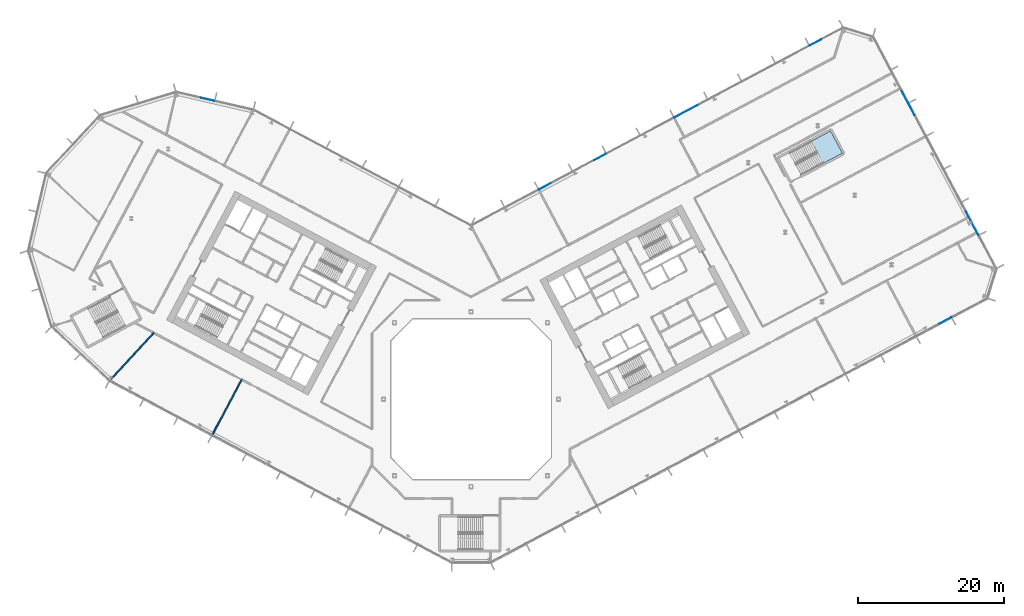
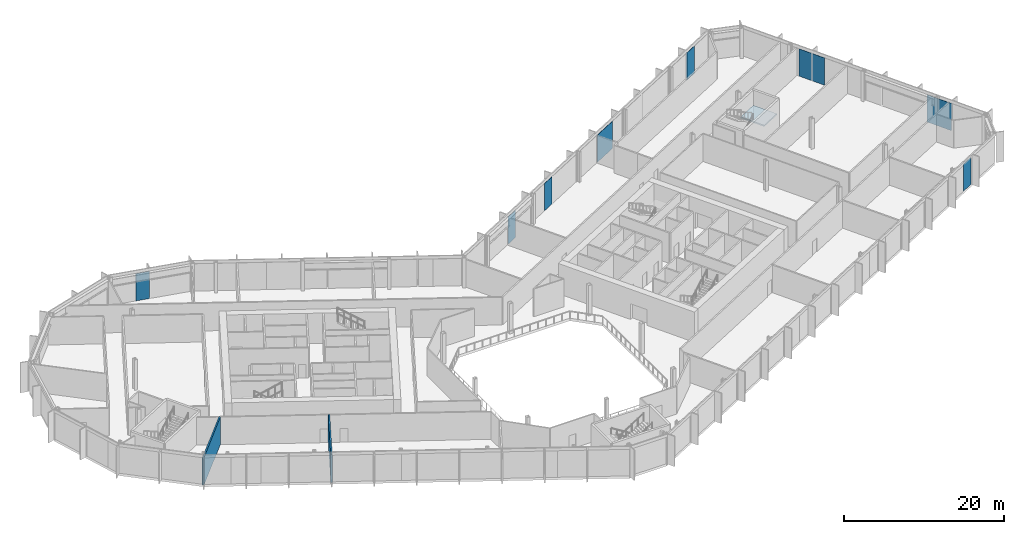
# One storey, part 13 of 32: 9 plates, 2 walls, 1 slab, 5 elements without a shape of their own.
"""IFC4 building model written with IfcOpenShell, lengths in metres."""

from ifc_helpers import new_model, si_unit, direction, frame, frame_2d, origin, origin_2d, place, context, subcontext, project, spatial, polyline, rectangle, outline, extrude, material, layer, layer_set, type_object, element, aggregate, save


model = new_model("IFC4")

# Units and contexts
model_context = context("Model", 3, precision=1e-05, world=origin(), true_north=direction((0.0, 1.0)))
body_context = subcontext(model_context, "Body", "Model", "MODEL_VIEW")
ifc_project = project(units=[si_unit("LENGTHUNIT", "METRE"), si_unit("AREAUNIT", "SQUARE_METRE"), si_unit("VOLUMEUNIT", "CUBIC_METRE"), si_unit("PLANEANGLEUNIT", "RADIAN"), si_unit("MASSUNIT", "GRAM", prefix="KILO")], contexts=[model_context])

# Site, building, storey
site_placement = place(None, origin())
site = spatial("IfcSite", under=ifc_project, at=site_placement, CompositionType="ELEMENT")
building_placement = place(site_placement, origin())
building = spatial("IfcBuilding", under=site, at=building_placement, Name="Cormorant Relay Tower", CompositionType="ELEMENT")
storey_placement = place(building_placement, frame((0.0, 0.0, 66.199951171875)))
storey = spatial("IfcBuildingStorey", under=building, at=storey_placement, Name="L12", CompositionType="ELEMENT", Elevation=66.199951171875)

# Curtain wall, plate
ifc_material_1 = material(Name="Aluminium 6063-T6 anodised bronze", Category="aluminium")
ifc_layer_1 = layer(ifc_material_1, 0.199951171875)
ifc_layer_set_1 = layer_set([ifc_layer_1], Name="CW1 unitised bronze curtain wall with vertical fins")
curtain_wall_type = type_object("IfcCurtainWallType", Name="CW1 unitised bronze curtain wall with vertical fins", PredefinedType="NOTDEFINED", material=ifc_layer_set_1)
curtain_wall_1_placement = place(storey_placement, origin())
curtain_wall_1 = element("IfcCurtainWall", 1, at=curtain_wall_1_placement, inside=storey, type_object=curtain_wall_type, Name="CW1 curtain wall 2", PredefinedType="NOTDEFINED")
ifc_material_2 = material(Name="Tinted laminated glass", Category="glass")
ifc_layer_2 = layer(ifc_material_2, 0.0400390625)
ifc_layer_set_2 = layer_set([ifc_layer_2], Name="CW1 tinted vision panel 1800 module")
plate_type_1 = type_object("IfcPlateType", Name="CW1 tinted vision panel 1800 module", PredefinedType="CURTAIN_PANEL", material=ifc_layer_set_2)
plate_1_placement = place(storey_placement, frame((65.064208984375, 10.78857421875, 0.0), z_axis=(0.0, 0.0, 1.0), x_axis=(0.882947592859, 0.469471562786, 0.0)))
plate_1 = element("IfcPlate", 2, at=plate_1_placement, type_object=plate_type_1, Name="CW1 panel V12", PredefinedType="CURTAIN_PANEL", context=body_context, shape_type="SweptSolid", body=[
    extrude(rectangle(XDim=1.800048828125, YDim=0.0400390625, at=origin_2d()), origin(), (0.0, 0.0, 1.0), 4.14990234375),
])
aggregate(curtain_wall_1, [plate_1])

# Curtain wall, plates
curtain_wall_2_placement = place(storey_placement, origin())
curtain_wall_2 = element("IfcCurtainWall", 3, at=curtain_wall_2_placement, inside=storey, type_object=curtain_wall_type, Name="CW1 curtain wall 4", PredefinedType="NOTDEFINED")
plate_2_placement = place(storey_placement, frame((60.426025390625, 39.76171875, 0.0), z_axis=(0.0, 0.0, 1.0), x_axis=(-0.469471562786, 0.882947592859, 0.0)))
plate_2 = element("IfcPlate", 4, at=plate_2_placement, type_object=plate_type_1, Name="CW1 panel V04", PredefinedType="CURTAIN_PANEL", context=body_context, shape_type="SweptSolid", body=[
    extrude(rectangle(XDim=1.800048828125, YDim=0.0400390625, at=origin_2d()), origin(), (0.0, 0.0, 1.0), 4.14990234375),
])
plate_3_placement = place(storey_placement, frame((59.510498046875, 41.4833984375, 0.0), z_axis=(0.0, 0.0, 1.0), x_axis=(-0.469471562786, 0.882947592859, 0.0)))
plate_3 = element("IfcPlate", 5, at=plate_3_placement, type_object=plate_type_1, Name="CW1 panel V05", PredefinedType="CURTAIN_PANEL", context=body_context, shape_type="SweptSolid", body=[
    extrude(rectangle(XDim=1.800048828125, YDim=0.0400390625, at=origin_2d()), origin(), (0.0, 0.0, 1.0), 4.14990234375),
])

curtain_wall_3_placement = place(storey_placement, origin())
curtain_wall_3 = element("IfcCurtainWall", 6, at=curtain_wall_3_placement, inside=storey, type_object=curtain_wall_type, Name="CW1 curtain wall 6", PredefinedType="NOTDEFINED")
plate_4_placement = place(storey_placement, frame((47.273681640625, 48.9423828125, 0.0), z_axis=(0.0, 0.0, 1.0), x_axis=(-0.882947592859, -0.469471562786, 0.0)))
plate_4 = element("IfcPlate", 7, at=plate_4_placement, type_object=plate_type_1, Name="CW1 panel V01", PredefinedType="CURTAIN_PANEL", context=body_context, shape_type="SweptSolid", body=[
    extrude(rectangle(XDim=1.800048828125, YDim=0.0400390625, at=origin_2d()), origin(), (0.0, 0.0, 1.0), 4.14990234375),
])
plate_5_placement = place(storey_placement, frame((17.698486328125, 33.21728515625, 0.0), z_axis=(0.0, 0.0, 1.0), x_axis=(-0.882947592859, -0.469471562786, 0.0)))
plate_5 = element("IfcPlate", 8, at=plate_5_placement, type_object=plate_type_1, Name="CW1 panel V06", PredefinedType="CURTAIN_PANEL", context=body_context, shape_type="SweptSolid", body=[
    extrude(rectangle(XDim=1.800048828125, YDim=0.0400390625, at=origin_2d()), origin(), (0.0, 0.0, 1.0), 4.14990234375),
])
plate_6_placement = place(storey_placement, frame((10.135986328125, 29.196044921875, 0.0), z_axis=(0.0, 0.0, 1.0), x_axis=(-0.882947592859, -0.469471562786, 0.0)))
plate_6 = element("IfcPlate", 9, at=plate_6_placement, type_object=plate_type_1, Name="CW1 panel V08", PredefinedType="CURTAIN_PANEL", context=body_context, shape_type="SweptSolid", body=[
    extrude(rectangle(XDim=1.800048828125, YDim=0.0400390625, at=origin_2d()), origin(), (0.0, 0.0, 1.0), 4.14990234375),
])

# Curtain wall, plate
curtain_wall_4_placement = place(storey_placement, origin())
curtain_wall_4 = element("IfcCurtainWall", 10, at=curtain_wall_4_placement, inside=storey, type_object=curtain_wall_type, Name="CW1 curtain wall 8", PredefinedType="NOTDEFINED")
plate_7_placement = place(storey_placement, frame((-36.114990234375, 41.129638671875, 0.0), z_axis=(0.0, 0.0, 1.0), x_axis=(-0.974370064785, 0.224951054344, 0.0)))
plate_7 = element("IfcPlate", 11, at=plate_7_placement, type_object=plate_type_1, Name="CW1 panel V01", PredefinedType="CURTAIN_PANEL", context=body_context, shape_type="SweptSolid", body=[
    extrude(rectangle(XDim=1.800048828125, YDim=0.0400390625, at=origin_2d()), origin(), (0.0, 0.0, 1.0), 4.14990234375),
])
aggregate(curtain_wall_4, [plate_7])

# Plate
ifc_material_3 = material(Name="Tinted laminated glass", Category="glass")
ifc_layer_3 = layer(ifc_material_3, 0.0400390625)
ifc_layer_set_3 = layer_set([ifc_layer_3], Name="CW1 tinted vision panel 3600 module")
plate_type_2 = type_object("IfcPlateType", Name="CW1 tinted vision panel 3600 module", PredefinedType="CURTAIN_PANEL", material=ifc_layer_set_3)
plate_8_placement = place(storey_placement, frame((68.74560546875, 24.11474609375, 0.0), z_axis=(0.0, 0.0, 1.0), x_axis=(-0.469471562786, 0.882947592859, 0.0)))
plate_8 = element("IfcPlate", 12, at=plate_8_placement, type_object=plate_type_2, Name="CW1 panel V01", PredefinedType="CURTAIN_PANEL", context=body_context, shape_type="SweptSolid", body=[
    extrude(rectangle(XDim=3.60009765625, YDim=0.0400390625, at=origin_2d()), origin(), (0.0, 0.0, 1.0), 4.14990234375),
])

aggregate(curtain_wall_2, [plate_8, plate_2, plate_3])

plate_9_placement = place(storey_placement, frame((29.49951171875, 39.49169921875, 0.0), z_axis=(0.0, 0.0, 1.0), x_axis=(-0.882947592859, -0.469471562786, 0.0)))
plate_9 = element("IfcPlate", 13, at=plate_9_placement, type_object=plate_type_2, Name="CW1 panel V04", PredefinedType="CURTAIN_PANEL", context=body_context, shape_type="SweptSolid", body=[
    extrude(rectangle(XDim=3.60009765625, YDim=0.0400390625, at=origin_2d()), origin(), (0.0, 0.0, 1.0), 4.14990234375),
])

aggregate(curtain_wall_3, [plate_4, plate_9, plate_5, plate_6])

# Stair, slab
ifc_material_4 = material(Name="Concrete 40 MPa", Category="concrete")
stair_type = type_object("IfcStairType", Name="Exit stair 1500", PredefinedType="HALF_TURN_STAIR", material=ifc_material_4)
stair_placement = place(storey_placement, origin())
stair = element("IfcStair", 14, at=stair_placement, inside=storey, type_object=stair_type, Name="L12 Stair", PredefinedType="HALF_TURN_STAIR")
ifc_material_5 = material(Name="Concrete 40 MPa", Category="concrete")
ifc_layer_4 = layer(ifc_material_5, 0.199951171875)
ifc_layer_set_4 = layer_set([ifc_layer_4], Name="Exit stair landing 200")
slab_type = type_object("IfcSlabType", Name="Exit stair landing 200", PredefinedType="LANDING", material=ifc_layer_set_4)
slab_placement = place(storey_placement, frame((0.0, 0.0, 2.10009765625)))
slab = element("IfcSlab", 15, at=slab_placement, type_object=slab_type, Name="RB1 landing 1", PredefinedType="LANDING", context=body_context, shape_type="SweptSolid", body=[
    extrude(outline(polyline([(48.301513671875, 32.35107421875), (50.941650390625, 33.7548828125), (49.322021484375, 36.801025390625), (46.681884765625, 35.397216796875), (48.301513671875, 32.35107421875)])), origin(), (0.0, 0.0, 1.0), 0.199951171875),
])
aggregate(stair, [slab])

# Walls
ifc_material_6 = material(Name="Fire-rated gypsum board partition")
ifc_layer_5 = layer(ifc_material_6, 0.199951171875)
ifc_layer_set_5 = layer_set([ifc_layer_5], Name="Fire-rated gypsum partition 200")
wall_type = type_object("IfcWallType", Name="Fire-rated gypsum partition 200", PredefinedType="PARTITIONING", material=ifc_layer_set_5)
wall_1_placement = place(storey_placement, frame((-43.51904296875, 9.095947265625, 0.0), z_axis=(0.0, 0.0, 1.0), x_axis=(-0.682037499791, -0.731317201273, 0.0)))
element("IfcWall", 16, at=wall_1_placement, inside=storey, type_object=wall_type, Name="wall/L12/part/6", PredefinedType="PARTITIONING", context=body_context, shape_type="SweptSolid", body=[
    extrude(rectangle(XDim=9.11083984375, YDim=0.199951171875, at=frame_2d((4.555419921875, 0.0))), origin(), (0.0, 0.0, 1.0), 4.199951171875),
])
wall_2_placement = place(storey_placement, frame((-31.470947265625, 2.68994140625, 0.0), z_axis=(0.0, 0.0, 1.0), x_axis=(-0.469532456729, -0.882915212281, 0.0)))
element("IfcWall", 17, at=wall_2_placement, inside=storey, type_object=wall_type, Name="wall/L12/part/7", PredefinedType="PARTITIONING", context=body_context, shape_type="SweptSolid", body=[
    extrude(rectangle(XDim=8.80029296875, YDim=0.199951171875, at=frame_2d((4.400146484375, 0.0))), origin(), (0.0, 0.0, 1.0), 4.199951171875),
])

save(model, "model.ifc")
